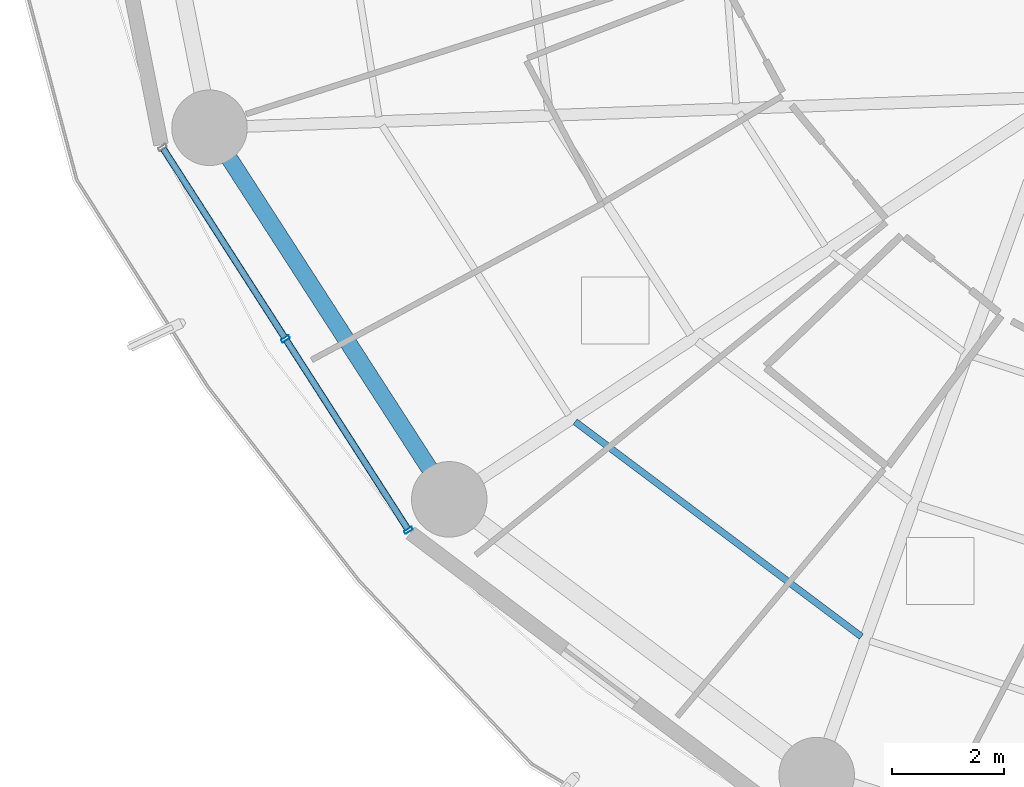
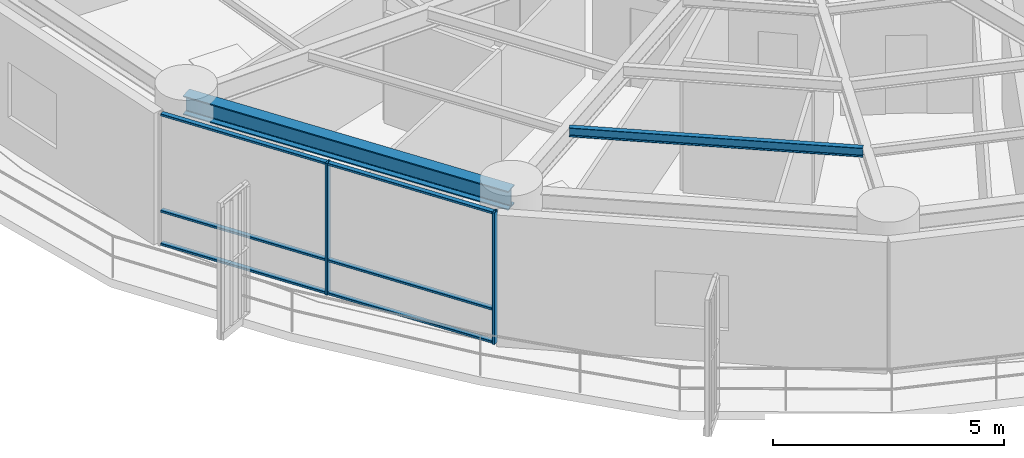
# One storey, part 2 of 37: 8 members, 2 beams, 1 element without a shape of its own.
"""IFC4 building model written with IfcOpenShell, lengths in metres."""

from ifc_helpers import new_model, si_unit, direction, frame, origin, origin_2d, place, context, subcontext, project, spatial, hollow_rectangle, i_section, extrude, material, layer, layer_set, material_profile, profile_set, type_object, element, aggregate, save


model = new_model("IFC4")

# Units and contexts
model_context = context("Model", 3, precision=1e-05, world=origin(), true_north=direction((0.0, 1.0)))
body_context = subcontext(model_context, "Body", "Model", "MODEL_VIEW")
ifc_project = project(units=[si_unit("LENGTHUNIT", "METRE"), si_unit("AREAUNIT", "SQUARE_METRE"), si_unit("VOLUMEUNIT", "CUBIC_METRE"), si_unit("PLANEANGLEUNIT", "RADIAN"), si_unit("MASSUNIT", "GRAM", prefix="KILO")], contexts=[model_context])

# Site, building, storey
site_placement = place(None, origin())
site = spatial("IfcSite", under=ifc_project, at=site_placement, CompositionType="ELEMENT")
building_placement = place(site_placement, origin())
building = spatial("IfcBuilding", under=site, at=building_placement, Name="Kelanora Arch Commons", CompositionType="ELEMENT")
storey_placement = place(building_placement, frame((0.0, 0.0, 110.10009765625)))
storey = spatial("IfcBuildingStorey", under=building, at=storey_placement, Name="L28", CompositionType="ELEMENT", Elevation=110.10009765625)

# Beams
ifc_material_1 = material(Name="Steel S355", Category="steel")
ifc_material_profile_1 = material_profile(ifc_material_1, i_section(OverallWidth=0.1201171875, OverallDepth=0.239990234375, WebThickness=0.006103515625, FlangeThickness=0.009765625, FilletRadius=0.014892578125, at=origin_2d()), Name="IPE240")
ifc_profile_set_1 = profile_set([ifc_material_profile_1], Name="Steel S355")
beam_type_1 = type_object("IfcBeamType", Name="BM-JST-02", PredefinedType="JOIST", material=ifc_profile_set_1)
beam_1_placement = place(storey_placement, frame((57.34326171875, 45.194580078125, 3.369873046875), z_axis=(0.799734335646, -0.600354055861, 0.0), x_axis=(0.600354055861, 0.799734335646, 0.0)))
element("IfcBeam", 1, at=beam_1_placement, inside=storey, type_object=beam_type_1, Name="Secondary Chord Joist BJC-22 L28", PredefinedType="JOIST", context=body_context, shape_type="SweptSolid", body=[
    extrude(i_section(OverallWidth=0.1201171875, OverallDepth=0.239990234375, WebThickness=0.006103515625, FlangeThickness=0.009765625, FilletRadius=0.014892578125, at=origin_2d()), origin(), (0.0, 0.0, 1.0), 6.39794921875),
])
ifc_material_profile_2 = material_profile(ifc_material_1, i_section(OverallWidth=0.300048828125, OverallDepth=0.5, WebThickness=0.014404296875, FlangeThickness=0.028076171875, FilletRadius=0.027099609375, at=origin_2d()), Name="HEB500")
ifc_profile_set_2 = profile_set([ifc_material_profile_2], Name="Steel S355")
beam_type_2 = type_object("IfcBeamType", Name="BM-SPN-Z2", PredefinedType="SPANDREL", material=ifc_profile_set_2)
beam_2_placement = place(storey_placement, frame((50.808349609375, 50.4482421875, 3.239990234375), z_axis=(0.542221144054, -0.840235818649, 0.0), x_axis=(0.840235818649, 0.542221144054, 0.0)))
element("IfcBeam", 2, at=beam_2_placement, inside=storey, type_object=beam_type_2, Name="Perimeter Spandrel Beam BS-20 L28", PredefinedType="SPANDREL", context=body_context, shape_type="SweptSolid", body=[
    extrude(i_section(OverallWidth=0.300048828125, OverallDepth=0.5, WebThickness=0.014404296875, FlangeThickness=0.028076171875, FilletRadius=0.027099609375, at=origin_2d()), origin(), (0.0, 0.0, 1.0), 7.90380859375),
])

# Curtain wall, members
ifc_material_2 = material(Name="Terracotta ceramic-fritted low-E glass and aluminium", Category="masonry")
ifc_layer = layer(ifc_material_2, 0.159912109375)
ifc_layer_set = layer_set([ifc_layer], Name="Terracotta ceramic-fritted low-E glass and aluminium")
curtain_wall_type = type_object("IfcCurtainWallType", Name="CW-SYS-01", PredefinedType="NOTDEFINED", material=ifc_layer_set)
curtain_wall_placement = place(storey_placement, origin())
curtain_wall = element("IfcCurtainWall", 3, at=curtain_wall_placement, inside=storey, type_object=curtain_wall_type, Name="Unitised Curtain Wall L28-B10", PredefinedType="NOTDEFINED")
ifc_material_3 = material(Name="Powder-coated aluminium terracotta", Category="masonry")
ifc_material_profile_3 = material_profile(ifc_material_3, hollow_rectangle(XDim=0.159912109375, YDim=0.06005859375, WallThickness=0.0048828125, InnerFilletRadius=0.0048828125, OuterFilletRadius=0.010009765625, at=origin_2d()), Name="CWM160x60")
ifc_profile_set_3 = profile_set([ifc_material_profile_3], Name="Powder-coated aluminium terracotta")
member_type_1 = type_object("IfcMemberType", Name="CWM-STD", PredefinedType="MULLION", material=ifc_profile_set_3)
member_1_placement = place(storey_placement, frame((52.16650390625, 46.6748046875, 0.0), z_axis=(0.0, 0.0, 1.0), x_axis=(0.841268883088, 0.540616931244, 0.0)))
member_1 = element("IfcMember", 4, at=member_1_placement, type_object=member_type_1, Name="CW-01 mullion 2", PredefinedType="MULLION", context=body_context, shape_type="SweptSolid", body=[
    extrude(hollow_rectangle(XDim=0.159912109375, YDim=0.06005859375, WallThickness=0.0048828125, InnerFilletRadius=0.0048828125, OuterFilletRadius=0.010009765625, at=origin_2d()), origin(), (0.0, 0.0, 1.0), 3.474853515625),
])
member_2_placement = place(storey_placement, frame((54.364990234375, 43.253662109375, 0.0), z_axis=(0.0, 0.0, 1.0), x_axis=(0.841268883088, 0.540616931244, 0.0)))
member_2 = element("IfcMember", 5, at=member_2_placement, type_object=member_type_1, Name="CW-01 mullion 3", PredefinedType="MULLION", context=body_context, shape_type="SweptSolid", body=[
    extrude(hollow_rectangle(XDim=0.159912109375, YDim=0.06005859375, WallThickness=0.0048828125, InnerFilletRadius=0.0048828125, OuterFilletRadius=0.010009765625, at=origin_2d()), origin(), (0.0, 0.0, 1.0), 3.474853515625),
])
ifc_material_profile_4 = material_profile(ifc_material_3, hollow_rectangle(XDim=0.1201171875, YDim=0.06005859375, WallThickness=0.0048828125, InnerFilletRadius=0.0048828125, OuterFilletRadius=0.010009765625, at=origin_2d()), Name="CWT120x60")
ifc_profile_set_4 = profile_set([ifc_material_profile_4], Name="Powder-coated aluminium terracotta")
member_type_2 = type_object("IfcMemberType", Name="CWT-STD", PredefinedType="USERDEFINED", material=ifc_profile_set_4)
member_3_placement = place(storey_placement, frame((49.984375, 50.0703125, 0.02978515625), z_axis=(0.540643629734, -0.841251725483, 0.0), x_axis=(0.841251725483, 0.540643629734, 0.0)))
member_3 = element("IfcMember", 6, at=member_3_placement, type_object=member_type_2, Name="CW-01 transom 1.1", ObjectType="TRANSOM", PredefinedType="USERDEFINED", context=body_context, shape_type="SweptSolid", body=[
    extrude(hollow_rectangle(XDim=0.1201171875, YDim=0.06005859375, WallThickness=0.0048828125, InnerFilletRadius=0.0048828125, OuterFilletRadius=0.010009765625, at=origin_2d()), origin(), (0.0, 0.0, 1.0), 4.00634765625),
])
member_4_placement = place(storey_placement, frame((49.984375, 50.0703125, 0.89990234375), z_axis=(0.540643629734, -0.841251725483, 0.0), x_axis=(0.841251725483, 0.540643629734, 0.0)))
member_4 = element("IfcMember", 7, at=member_4_placement, type_object=member_type_2, Name="CW-01 transom 1.2", ObjectType="TRANSOM", PredefinedType="USERDEFINED", context=body_context, shape_type="SweptSolid", body=[
    extrude(hollow_rectangle(XDim=0.1201171875, YDim=0.06005859375, WallThickness=0.0048828125, InnerFilletRadius=0.0048828125, OuterFilletRadius=0.010009765625, at=origin_2d()), origin(), (0.0, 0.0, 1.0), 4.00634765625),
])
member_5_placement = place(storey_placement, frame((49.984375, 50.0703125, 3.44482421875), z_axis=(0.540643629734, -0.841251725483, 0.0), x_axis=(0.841251725483, 0.540643629734, 0.0)))
member_5 = element("IfcMember", 8, at=member_5_placement, type_object=member_type_2, Name="CW-01 transom 1.3", ObjectType="TRANSOM", PredefinedType="USERDEFINED", context=body_context, shape_type="SweptSolid", body=[
    extrude(hollow_rectangle(XDim=0.1201171875, YDim=0.06005859375, WallThickness=0.0048828125, InnerFilletRadius=0.0048828125, OuterFilletRadius=0.010009765625, at=origin_2d()), origin(), (0.0, 0.0, 1.0), 4.00634765625),
])
member_6_placement = place(storey_placement, frame((52.182861328125, 46.6494140625, 0.02978515625), z_axis=(0.540643629734, -0.841251725483, 0.0), x_axis=(0.841251725483, 0.540643629734, 0.0)))
member_6 = element("IfcMember", 9, at=member_6_placement, type_object=member_type_2, Name="CW-01 transom 2.1", ObjectType="TRANSOM", PredefinedType="USERDEFINED", context=body_context, shape_type="SweptSolid", body=[
    extrude(hollow_rectangle(XDim=0.1201171875, YDim=0.06005859375, WallThickness=0.0048828125, InnerFilletRadius=0.0048828125, OuterFilletRadius=0.010009765625, at=origin_2d()), origin(), (0.0, 0.0, 1.0), 4.00634765625),
])
member_7_placement = place(storey_placement, frame((52.182861328125, 46.6494140625, 0.89990234375), z_axis=(0.540643629734, -0.841251725483, 0.0), x_axis=(0.841251725483, 0.540643629734, 0.0)))
member_7 = element("IfcMember", 10, at=member_7_placement, type_object=member_type_2, Name="CW-01 transom 2.2", ObjectType="TRANSOM", PredefinedType="USERDEFINED", context=body_context, shape_type="SweptSolid", body=[
    extrude(hollow_rectangle(XDim=0.1201171875, YDim=0.06005859375, WallThickness=0.0048828125, InnerFilletRadius=0.0048828125, OuterFilletRadius=0.010009765625, at=origin_2d()), origin(), (0.0, 0.0, 1.0), 4.00634765625),
])
member_8_placement = place(storey_placement, frame((52.182861328125, 46.6494140625, 3.44482421875), z_axis=(0.540643629734, -0.841251725483, 0.0), x_axis=(0.841251725483, 0.540643629734, 0.0)))
member_8 = element("IfcMember", 11, at=member_8_placement, type_object=member_type_2, Name="CW-01 transom 2.3", ObjectType="TRANSOM", PredefinedType="USERDEFINED", context=body_context, shape_type="SweptSolid", body=[
    extrude(hollow_rectangle(XDim=0.1201171875, YDim=0.06005859375, WallThickness=0.0048828125, InnerFilletRadius=0.0048828125, OuterFilletRadius=0.010009765625, at=origin_2d()), origin(), (0.0, 0.0, 1.0), 4.00634765625),
])
aggregate(curtain_wall, [member_1, member_2, member_3, member_4, member_5, member_6, member_7, member_8])

save(model, "model.ifc")
